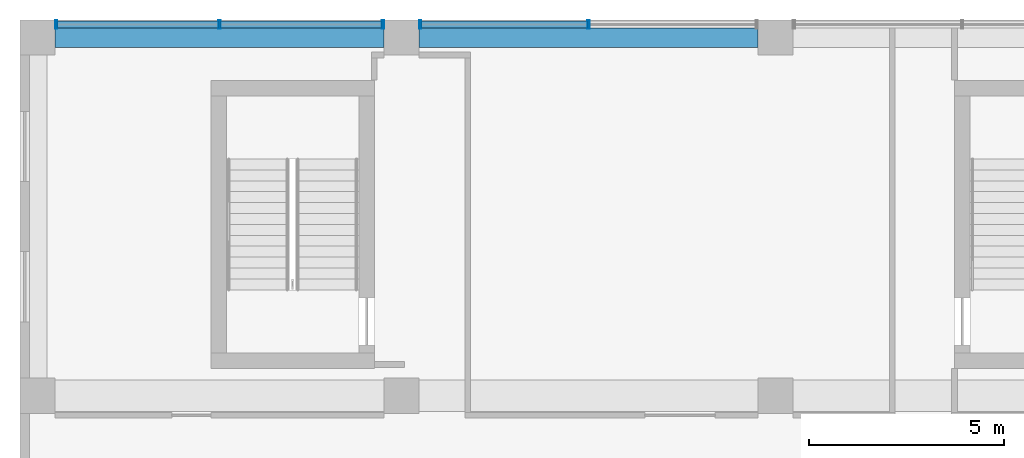
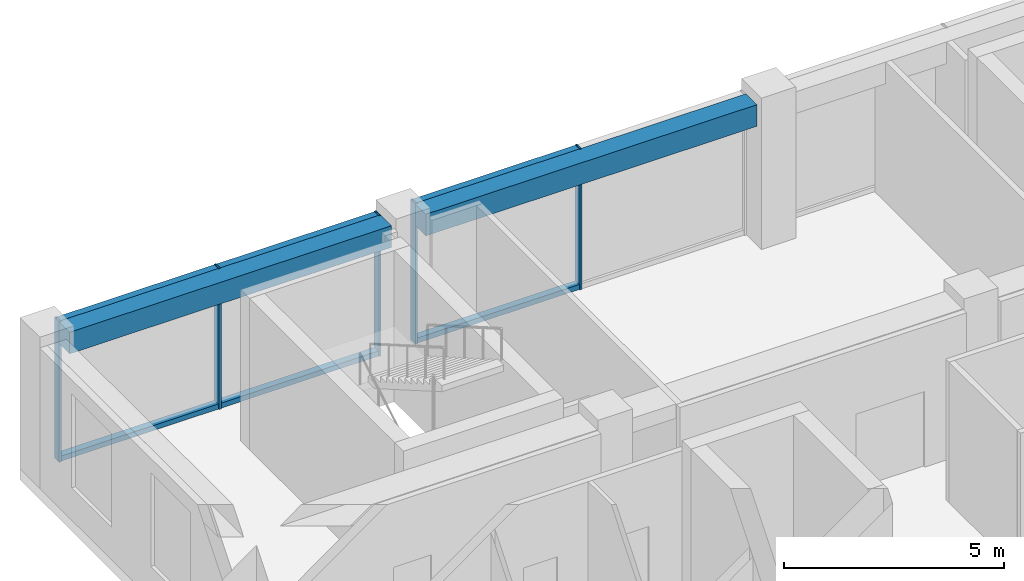
# One storey, part 22 of 38: 11 members, 2 beams, 2 elements without a shape of their own.
"""IFC4 building model written with IfcOpenShell, lengths in metres."""

from ifc_helpers import new_model, si_unit, direction, frame, origin, origin_2d, place, context, subcontext, project, spatial, rectangle, hollow_rectangle, extrude, material, layer, layer_set, material_profile, profile_set, type_object, element, aggregate, save


model = new_model("IFC4")

# Units and contexts
model_context = context("Model", 3, precision=1e-05, world=origin(), true_north=direction((0.0, 1.0)))
body_context = subcontext(model_context, "Body", "Model", "MODEL_VIEW")
ifc_project = project(units=[si_unit("LENGTHUNIT", "METRE"), si_unit("AREAUNIT", "SQUARE_METRE"), si_unit("VOLUMEUNIT", "CUBIC_METRE"), si_unit("PLANEANGLEUNIT", "RADIAN"), si_unit("MASSUNIT", "GRAM", prefix="KILO")], contexts=[model_context])

# Site, building, storey
site_placement = place(None, origin())
site = spatial("IfcSite", under=ifc_project, at=site_placement, CompositionType="ELEMENT")
building_placement = place(site_placement, origin())
building = spatial("IfcBuilding", under=site, at=building_placement, Name="Nzadi Deep Aquarium and Research Tower", CompositionType="ELEMENT")
storey_placement = place(building_placement, frame((0.0, 0.0, 65.5)))
storey = spatial("IfcBuildingStorey", under=building, at=storey_placement, Name="L13", CompositionType="ELEMENT", Elevation=65.5)

# Curtain wall, members
ifc_material_1 = material(Name="Aluminium unitised frame deep", Category="aluminium")
ifc_layer = layer(ifc_material_1, 0.22509765625)
ifc_layer_set = layer_set([ifc_layer], Name="Aluminium unitised frame deep")
curtain_wall_type = type_object("IfcCurtainWallType", Name="Curtain wall Unitised Deep 225", PredefinedType="NOTDEFINED", material=ifc_layer_set)
curtain_wall_1_placement = place(storey_placement, origin())
curtain_wall_1 = element("IfcCurtainWall", 1, at=curtain_wall_1_placement, inside=storey, type_object=curtain_wall_type, Name="Unitised curtain wall blade B north L13", PredefinedType="NOTDEFINED")
ifc_material_2 = material(Name="Aluminium unitised frame deep", Category="aluminium")
ifc_material_profile_1 = material_profile(ifc_material_2, hollow_rectangle(XDim=0.22509765625, YDim=0.06005859375, WallThickness=0.0048828125, at=origin_2d()))
ifc_profile_set_1 = profile_set([ifc_material_profile_1], Name="Aluminium unitised frame deep")
member_type_1 = type_object("IfcMemberType", Name="Mullion 60x225 Unitised Deep", PredefinedType="MULLION", material=ifc_profile_set_1)
member_1_placement = place(storey_placement, frame((0.72998046875, 46.33740234375, 0.0), z_axis=(0.0, 0.0, 1.0), x_axis=(0.0, 1.0, 0.0)))
member_1 = element("IfcMember", 2, at=member_1_placement, type_object=member_type_1, Name="CW170 mullion 1", PredefinedType="MULLION", context=body_context, shape_type="SweptSolid", body=[
    extrude(hollow_rectangle(XDim=0.22509765625, YDim=0.06005859375, WallThickness=0.0048828125, at=origin_2d()), origin(), (0.0, 0.0, 1.0), 3.89990234375),
])
member_2_placement = place(storey_placement, frame((4.925048828125, 46.33740234375, 0.0), z_axis=(0.0, 0.0, 1.0), x_axis=(0.0, 1.0, 0.0)))
member_2 = element("IfcMember", 3, at=member_2_placement, type_object=member_type_1, Name="CW170 mullion 2", PredefinedType="MULLION", context=body_context, shape_type="SweptSolid", body=[
    extrude(hollow_rectangle(XDim=0.22509765625, YDim=0.06005859375, WallThickness=0.0048828125, at=origin_2d()), origin(), (0.0, 0.0, 1.0), 3.89990234375),
])
member_3_placement = place(storey_placement, frame((9.1201171875, 46.33740234375, 0.0), z_axis=(0.0, 0.0, 1.0), x_axis=(0.0, 1.0, 0.0)))
member_3 = element("IfcMember", 4, at=member_3_placement, type_object=member_type_1, Name="CW170 mullion 3", PredefinedType="MULLION", context=body_context, shape_type="SweptSolid", body=[
    extrude(hollow_rectangle(XDim=0.22509765625, YDim=0.06005859375, WallThickness=0.0048828125, at=origin_2d()), origin(), (0.0, 0.0, 1.0), 3.89990234375),
])

curtain_wall_2_placement = place(storey_placement, origin())
curtain_wall_2 = element("IfcCurtainWall", 5, at=curtain_wall_2_placement, inside=storey, type_object=curtain_wall_type, Name="Unitised curtain wall blade B north L13", PredefinedType="NOTDEFINED")
member_4_placement = place(storey_placement, frame((10.080078125, 46.33740234375, 0.0), z_axis=(0.0, 0.0, 1.0), x_axis=(0.0, 1.0, 0.0)))
member_4 = element("IfcMember", 6, at=member_4_placement, type_object=member_type_1, Name="CW171 mullion 1", PredefinedType="MULLION", context=body_context, shape_type="SweptSolid", body=[
    extrude(hollow_rectangle(XDim=0.22509765625, YDim=0.06005859375, WallThickness=0.0048828125, at=origin_2d()), origin(), (0.0, 0.0, 1.0), 3.89990234375),
])
member_5_placement = place(storey_placement, frame((14.39990234375, 46.33740234375, 0.0), z_axis=(0.0, 0.0, 1.0), x_axis=(0.0, 1.0, 0.0)))
member_5 = element("IfcMember", 7, at=member_5_placement, type_object=member_type_1, Name="CW171 mullion 2", PredefinedType="MULLION", context=body_context, shape_type="SweptSolid", body=[
    extrude(hollow_rectangle(XDim=0.22509765625, YDim=0.06005859375, WallThickness=0.0048828125, at=origin_2d()), origin(), (0.0, 0.0, 1.0), 3.89990234375),
])

# Beams
ifc_material_3 = material(Name="Concrete C35/45", Category="concrete")
ifc_material_profile_2 = material_profile(ifc_material_3, rectangle(XDim=0.5, YDim=0.60009765625, at=origin_2d()))
ifc_profile_set_2 = profile_set([ifc_material_profile_2], Name="Concrete C35/45")
beam_type = type_object("IfcBeamType", Name="RC 500x600", PredefinedType="BEAM", material=ifc_profile_set_2)
beam_1_placement = place(storey_placement, frame((0.699951171875, 46.0, 3.60009765625), z_axis=(1.0, 0.0, 0.0), x_axis=(0.0, 1.0, 0.0)))
element("IfcBeam", 8, at=beam_1_placement, inside=storey, type_object=beam_type, Name="B-Z1-L13-L6-1", PredefinedType="BEAM", context=body_context, shape_type="SweptSolid", body=[
    extrude(rectangle(XDim=0.5, YDim=0.60009765625, at=origin_2d()), origin(), (0.0, 0.0, 1.0), 8.449951171875),
])
beam_2_placement = place(storey_placement, frame((10.050048828125, 46.0, 3.60009765625), z_axis=(1.0, 0.0, 0.0), x_axis=(0.0, 1.0, 0.0)))
element("IfcBeam", 9, at=beam_2_placement, inside=storey, type_object=beam_type, Name="B-Z1-L13-L6-2", PredefinedType="BEAM", context=body_context, shape_type="SweptSolid", body=[
    extrude(rectangle(XDim=0.5, YDim=0.60009765625, at=origin_2d()), origin(), (0.0, 0.0, 1.0), 8.699951171875),
])

# Member
ifc_material_4 = material(Name="Aluminium unitised frame deep", Category="aluminium")
ifc_material_profile_3 = material_profile(ifc_material_4, hollow_rectangle(XDim=0.179931640625, YDim=0.139892578125, WallThickness=0.0048828125, at=origin_2d()))
ifc_profile_set_3 = profile_set([ifc_material_profile_3], Name="Aluminium unitised frame deep")
member_type_2 = type_object("IfcMemberType", Name="Transom 140x180 Unitised Deep", PredefinedType="MULLION", material=ifc_profile_set_3)
member_6_placement = place(storey_placement, frame((0.760009765625, 46.33740234375, 0.070068359375), z_axis=(1.0, 0.0, 0.0), x_axis=(0.0, 1.0, 0.0)))
member_6 = element("IfcMember", 10, at=member_6_placement, type_object=member_type_2, Name="CW170 transom 1.1", PredefinedType="MULLION", context=body_context, shape_type="SweptSolid", body=[
    extrude(hollow_rectangle(XDim=0.179931640625, YDim=0.139892578125, WallThickness=0.0048828125, at=origin_2d()), origin(), (0.0, 0.0, 1.0), 4.135009765625),
])

member_7_placement = place(storey_placement, frame((0.760009765625, 46.33740234375, 3.830078125), z_axis=(1.0, 0.0, 0.0), x_axis=(0.0, 1.0, 0.0)))
member_7 = element("IfcMember", 11, at=member_7_placement, type_object=member_type_2, Name="CW170 transom 1.2", PredefinedType="MULLION", context=body_context, shape_type="SweptSolid", body=[
    extrude(hollow_rectangle(XDim=0.179931640625, YDim=0.139892578125, WallThickness=0.0048828125, at=origin_2d()), origin(), (0.0, 0.0, 1.0), 4.135009765625),
])

member_8_placement = place(storey_placement, frame((4.955078125, 46.33740234375, 0.070068359375), z_axis=(1.0, 0.0, 0.0), x_axis=(0.0, 1.0, 0.0)))
member_8 = element("IfcMember", 12, at=member_8_placement, type_object=member_type_2, Name="CW170 transom 2.1", PredefinedType="MULLION", context=body_context, shape_type="SweptSolid", body=[
    extrude(hollow_rectangle(XDim=0.179931640625, YDim=0.139892578125, WallThickness=0.0048828125, at=origin_2d()), origin(), (0.0, 0.0, 1.0), 4.135009765625),
])

member_9_placement = place(storey_placement, frame((4.955078125, 46.33740234375, 3.830078125), z_axis=(1.0, 0.0, 0.0), x_axis=(0.0, 1.0, 0.0)))
member_9 = element("IfcMember", 13, at=member_9_placement, type_object=member_type_2, Name="CW170 transom 2.2", PredefinedType="MULLION", context=body_context, shape_type="SweptSolid", body=[
    extrude(hollow_rectangle(XDim=0.179931640625, YDim=0.139892578125, WallThickness=0.0048828125, at=origin_2d()), origin(), (0.0, 0.0, 1.0), 4.135009765625),
])

aggregate(curtain_wall_1, [member_1, member_2, member_3, member_6, member_7, member_8, member_9])

member_10_placement = place(storey_placement, frame((10.110107421875, 46.33740234375, 0.070068359375), z_axis=(1.0, 0.0, 0.0), x_axis=(0.0, 1.0, 0.0)))
member_10 = element("IfcMember", 14, at=member_10_placement, type_object=member_type_2, Name="CW171 transom 1.1", PredefinedType="MULLION", context=body_context, shape_type="SweptSolid", body=[
    extrude(hollow_rectangle(XDim=0.179931640625, YDim=0.139892578125, WallThickness=0.0048828125, at=origin_2d()), origin(), (0.0, 0.0, 1.0), 4.260009765625),
])

member_11_placement = place(storey_placement, frame((10.110107421875, 46.33740234375, 3.830078125), z_axis=(1.0, 0.0, 0.0), x_axis=(0.0, 1.0, 0.0)))
member_11 = element("IfcMember", 15, at=member_11_placement, type_object=member_type_2, Name="CW171 transom 1.2", PredefinedType="MULLION", context=body_context, shape_type="SweptSolid", body=[
    extrude(hollow_rectangle(XDim=0.179931640625, YDim=0.139892578125, WallThickness=0.0048828125, at=origin_2d()), origin(), (0.0, 0.0, 1.0), 4.260009765625),
])

aggregate(curtain_wall_2, [member_4, member_5, member_10, member_11])

save(model, "model.ifc")
